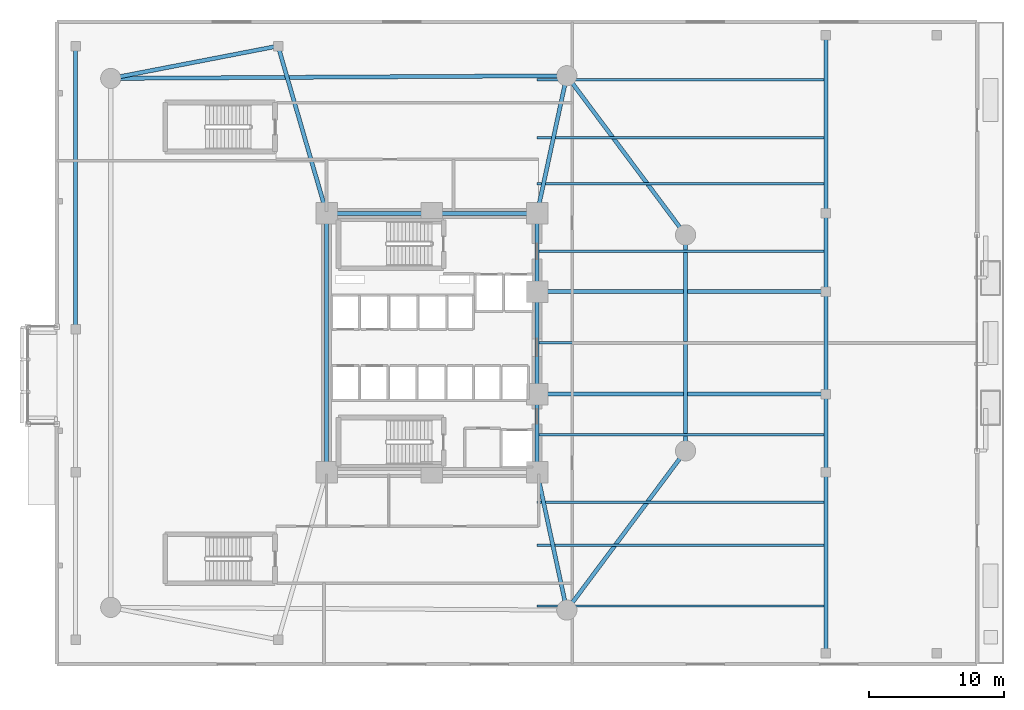
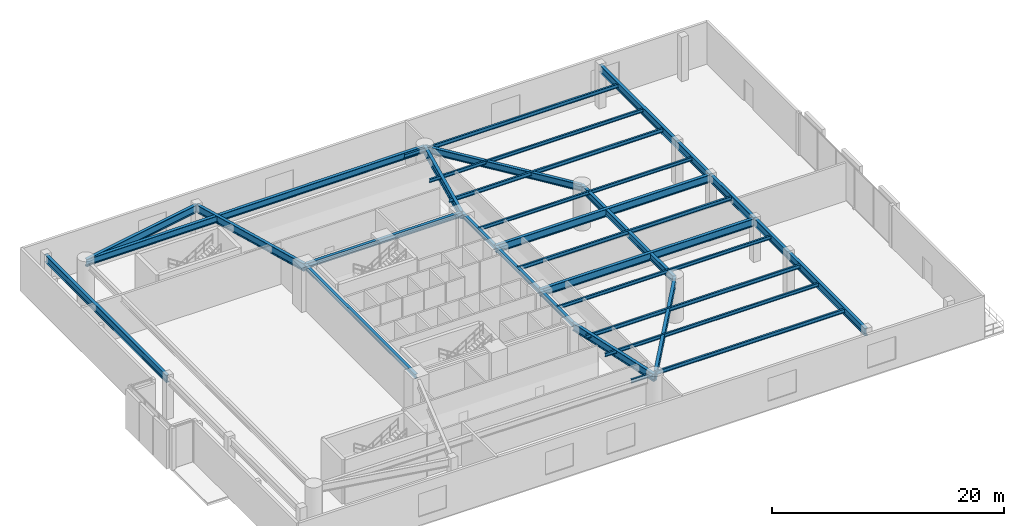
# One storey, part 5 of 16: 28 beams.
"""IFC4 building model written with IfcOpenShell, lengths in metres."""

from ifc_helpers import new_model, si_unit, direction, frame, origin, origin_2d, place, context, subcontext, project, spatial, i_section, extrude, material, material_profile, profile_set, type_object, element, save


model = new_model("IFC4")

# Units and contexts
model_context = context("Model", 3, precision=1e-05, world=origin(), true_north=direction((0.0, 1.0)))
body_context = subcontext(model_context, "Body", "Model", "MODEL_VIEW")
ifc_project = project(units=[si_unit("LENGTHUNIT", "METRE"), si_unit("AREAUNIT", "SQUARE_METRE"), si_unit("VOLUMEUNIT", "CUBIC_METRE"), si_unit("PLANEANGLEUNIT", "RADIAN"), si_unit("MASSUNIT", "GRAM", prefix="KILO")], contexts=[model_context])

# Site, building, storey
site_placement = place(None, origin())
site = spatial("IfcSite", under=ifc_project, at=site_placement, CompositionType="ELEMENT")
building_placement = place(site_placement, origin())
building = spatial("IfcBuilding", under=site, at=building_placement, Name="An Khanh Terracotta Commons", CompositionType="ELEMENT")
storey_placement = place(building_placement, frame((0.0, 0.0, 10.050048828125)))
storey = spatial("IfcBuildingStorey", under=building, at=storey_placement, Name="L03", CompositionType="ELEMENT", Elevation=10.050048828125)

# Beams
ifc_material = material(Name="Steel S355J2", Category="steel")
ifc_material_profile_1 = material_profile(ifc_material, i_section(OverallWidth=0.300048828125, OverallDepth=0.449951171875, WebThickness=0.013916015625, FlangeThickness=0.02587890625, FilletRadius=0.027099609375, at=origin_2d()), Name="HEB450")
ifc_profile_set_1 = profile_set([ifc_material_profile_1], Name="Steel S355J2")
beam_type_1 = type_object("IfcBeamType", Name="BM-HEB450", PredefinedType="BEAM", material=ifc_profile_set_1)
beam_1_placement = place(storey_placement, frame((37.199951171875, 14.39990234375, 4.204833984375), z_axis=(0.0, 1.0, 0.0), x_axis=(-1.0, 0.0, 0.0)))
element("IfcBeam", 1, at=beam_1_placement, inside=storey, type_object=beam_type_1, Name="L03 Core East Coupling Girder 1", PredefinedType="BEAM", context=body_context, shape_type="SweptSolid", body=[
    extrude(i_section(OverallWidth=0.300048828125, OverallDepth=0.449951171875, WebThickness=0.013916015625, FlangeThickness=0.02587890625, FilletRadius=0.027099609375, at=origin_2d()), origin(), (0.0, 0.0, 1.0), 5.800048828125),
])
beam_2_placement = place(storey_placement, frame((37.199951171875, 20.199951171875, 4.204833984375), z_axis=(0.0, 1.0, 0.0), x_axis=(-1.0, 0.0, 0.0)))
element("IfcBeam", 2, at=beam_2_placement, inside=storey, type_object=beam_type_1, Name="L03 Core East Coupling Girder 2", PredefinedType="BEAM", context=body_context, shape_type="SweptSolid", body=[
    extrude(i_section(OverallWidth=0.300048828125, OverallDepth=0.449951171875, WebThickness=0.013916015625, FlangeThickness=0.02587890625, FilletRadius=0.027099609375, at=origin_2d()), origin(), (0.0, 0.0, 1.0), 7.60009765625),
])
beam_3_placement = place(storey_placement, frame((37.199951171875, 27.800048828125, 4.204833984375), z_axis=(0.0, 1.0, 0.0), x_axis=(-1.0, 0.0, 0.0)))
element("IfcBeam", 3, at=beam_3_placement, inside=storey, type_object=beam_type_1, Name="L03 Core East Coupling Girder 3", PredefinedType="BEAM", context=body_context, shape_type="SweptSolid", body=[
    extrude(i_section(OverallWidth=0.300048828125, OverallDepth=0.449951171875, WebThickness=0.013916015625, FlangeThickness=0.02587890625, FilletRadius=0.027099609375, at=origin_2d()), origin(), (0.0, 0.0, 1.0), 5.800048828125),
])
beam_4_placement = place(storey_placement, frame((21.60009765625, 14.39990234375, 4.204833984375), z_axis=(0.0, 1.0, 0.0), x_axis=(-1.0, 0.0, 0.0)))
element("IfcBeam", 4, at=beam_4_placement, inside=storey, type_object=beam_type_1, Name="L03 Core West Coupling Girder", PredefinedType="BEAM", context=body_context, shape_type="SweptSolid", body=[
    extrude(i_section(OverallWidth=0.300048828125, OverallDepth=0.449951171875, WebThickness=0.013916015625, FlangeThickness=0.02587890625, FilletRadius=0.027099609375, at=origin_2d()), origin(), (0.0, 0.0, 1.0), 19.2001953125),
])
ifc_material_profile_2 = material_profile(ifc_material, i_section(OverallWidth=0.300048828125, OverallDepth=0.5, WebThickness=0.014404296875, FlangeThickness=0.028076171875, FilletRadius=0.027099609375, at=origin_2d()), Name="HEB500")
ifc_profile_set_2 = profile_set([ifc_material_profile_2], Name="Steel S355J2")
beam_type_2 = type_object("IfcBeamType", Name="BM-HEB500", PredefinedType="BEAM", material=ifc_profile_set_2)
beam_5_placement = place(storey_placement, frame((21.60009765625, 33.60009765625, 4.179931640625), z_axis=(1.0, 0.0, 0.0), x_axis=(0.0, 1.0, 0.0)))
element("IfcBeam", 5, at=beam_5_placement, inside=storey, type_object=beam_type_2, Name="L03 Core North Coupling Girder", PredefinedType="BEAM", context=body_context, shape_type="SweptSolid", body=[
    extrude(i_section(OverallWidth=0.300048828125, OverallDepth=0.5, WebThickness=0.014404296875, FlangeThickness=0.028076171875, FilletRadius=0.027099609375, at=origin_2d()), origin(), (0.0, 0.0, 1.0), 15.599853515625),
])
ifc_material_profile_3 = material_profile(ifc_material, i_section(OverallWidth=0.300048828125, OverallDepth=0.699951171875, WebThickness=0.01708984375, FlangeThickness=0.031982421875, FilletRadius=0.027099609375, at=origin_2d()), Name="HEB700")
ifc_profile_set_3 = profile_set([ifc_material_profile_3], Name="Steel S355J2")
beam_type_3 = type_object("IfcBeamType", Name="BM-HEB700", PredefinedType="BEAM", material=ifc_profile_set_3)
beam_6_placement = place(storey_placement, frame((39.39990234375, 4.199951171875, 4.079833984375), z_axis=(0.59782442166, 0.801627070942, 0.0), x_axis=(-0.801627070942, 0.59782442166, 0.0)))
element("IfcBeam", 6, at=beam_6_placement, inside=storey, type_object=beam_type_3, Name="L03 Podium Mega-Ring Girder 2", PredefinedType="BEAM", context=body_context, shape_type="SweptSolid", body=[
    extrude(i_section(OverallWidth=0.300048828125, OverallDepth=0.699951171875, WebThickness=0.01708984375, FlangeThickness=0.031982421875, FilletRadius=0.027099609375, at=origin_2d()), origin(), (0.0, 0.0, 1.0), 14.72021484375),
])
beam_7_placement = place(storey_placement, frame((48.199951171875, 16.0, 4.079833984375), z_axis=(0.0, 1.0, 0.0), x_axis=(-1.0, 0.0, 0.0)))
element("IfcBeam", 7, at=beam_7_placement, inside=storey, type_object=beam_type_3, Name="L03 Podium Mega-Ring Girder 3", PredefinedType="BEAM", context=body_context, shape_type="SweptSolid", body=[
    extrude(i_section(OverallWidth=0.300048828125, OverallDepth=0.699951171875, WebThickness=0.01708984375, FlangeThickness=0.031982421875, FilletRadius=0.027099609375, at=origin_2d()), origin(), (0.0, 0.0, 1.0), 16.0),
])
beam_8_placement = place(storey_placement, frame((48.199951171875, 32.0, 4.079833984375), z_axis=(-0.59782442166, 0.801627070942, 0.0), x_axis=(-0.801627070942, -0.59782442166, 0.0)))
element("IfcBeam", 8, at=beam_8_placement, inside=storey, type_object=beam_type_3, Name="L03 Podium Mega-Ring Girder 4", PredefinedType="BEAM", context=body_context, shape_type="SweptSolid", body=[
    extrude(i_section(OverallWidth=0.300048828125, OverallDepth=0.699951171875, WebThickness=0.01708984375, FlangeThickness=0.031982421875, FilletRadius=0.027099609375, at=origin_2d()), origin(), (0.0, 0.0, 1.0), 14.72021484375),
])
beam_9_placement = place(storey_placement, frame((39.39990234375, 43.800048828125, 4.079833984375), z_axis=(-0.999982502414, -0.005915645817, 0.0), x_axis=(0.005915645817, -0.999982502414, 0.0)))
element("IfcBeam", 9, at=beam_9_placement, inside=storey, type_object=beam_type_3, Name="L03 Podium Mega-Ring Girder 5", PredefinedType="BEAM", context=body_context, shape_type="SweptSolid", body=[
    extrude(i_section(OverallWidth=0.300048828125, OverallDepth=0.699951171875, WebThickness=0.01708984375, FlangeThickness=0.031982421875, FilletRadius=0.027099609375, at=origin_2d()), origin(), (0.0, 0.0, 1.0), 33.80029296875),
])
ifc_material_profile_4 = material_profile(ifc_material, i_section(OverallWidth=0.300048828125, OverallDepth=0.800048828125, WebThickness=0.017578125, FlangeThickness=0.032958984375, FilletRadius=0.030029296875, at=origin_2d()), Name="HEB800")
ifc_profile_set_4 = profile_set([ifc_material_profile_4], Name="Steel S355J2")
beam_type_4 = type_object("IfcBeamType", Name="BM-HEB800", PredefinedType="BEAM", material=ifc_profile_set_4)
beam_10_placement = place(storey_placement, frame((3.0, 25.0, 4.030029296875), z_axis=(0.0, 1.0, 0.0), x_axis=(-1.0, 0.0, 0.0)))
element("IfcBeam", 10, at=beam_10_placement, inside=storey, type_object=beam_type_4, Name="L03 Primary Podium Girder 3", PredefinedType="BEAM", context=body_context, shape_type="SweptSolid", body=[
    extrude(i_section(OverallWidth=0.300048828125, OverallDepth=0.800048828125, WebThickness=0.017578125, FlangeThickness=0.032958984375, FilletRadius=0.030029296875, at=origin_2d()), origin(), (0.0, 0.0, 1.0), 21.0),
])
for number, where, z_axis, x_axis, name in (
    (11, (39.39990234375, 4.199951171875, 4.030029296875), (-0.210834365214, 0.977521800496, 0.0), (-0.977521800496, -0.210834365214, 0.0), "L03 Primary Podium Girder 6"),
    (12, (39.39990234375, 43.800048828125, 4.030029296875), (-0.210834365214, -0.977521800496, 0.0), (0.977521800496, -0.210834365214, 0.0), "L03 Primary Podium Girder 7"),
):
    element("IfcBeam", number, at=place(storey_placement, frame(where, z_axis=z_axis, x_axis=x_axis)), inside=storey, type_object=beam_type_4, Name=name, PredefinedType="BEAM", context=body_context, shape_type="SweptSolid", body=[
        extrude(i_section(OverallWidth=0.300048828125, OverallDepth=0.800048828125, WebThickness=0.017578125, FlangeThickness=0.032958984375, FilletRadius=0.030029296875, at=origin_2d()), origin(), (0.0, 0.0, 1.0), 10.4345703125),
    ])
beam_11_placement = place(storey_placement, frame((5.60009765625, 43.60009765625, 4.030029296875), z_axis=(0.981781013874, 0.190015896168, 0.0), x_axis=(-0.190015896168, 0.981781013874, 0.0)))
element("IfcBeam", 13, at=beam_11_placement, inside=storey, type_object=beam_type_4, Name="L03 Primary Podium Girder 8", PredefinedType="BEAM", context=body_context, shape_type="SweptSolid", body=[
    extrude(i_section(OverallWidth=0.300048828125, OverallDepth=0.800048828125, WebThickness=0.017578125, FlangeThickness=0.032958984375, FilletRadius=0.030029296875, at=origin_2d()), origin(), (0.0, 0.0, 1.0), 12.630126953125),
])
beam_12_placement = place(storey_placement, frame((18.0, 46.0, 4.030029296875), z_axis=(0.278819195264, -0.960343613689, 0.0), x_axis=(0.960343613689, 0.278819195264, 0.0)))
element("IfcBeam", 14, at=beam_12_placement, inside=storey, type_object=beam_type_4, Name="L03 Primary Podium Girder 9", PredefinedType="BEAM", context=body_context, shape_type="SweptSolid", body=[
    extrude(i_section(OverallWidth=0.300048828125, OverallDepth=0.800048828125, WebThickness=0.017578125, FlangeThickness=0.032958984375, FilletRadius=0.030029296875, at=origin_2d()), origin(), (0.0, 0.0, 1.0), 12.911865234375),
])
beam_13_placement = place(storey_placement, frame((58.60009765625, 20.199951171875, 4.030029296875), z_axis=(0.0, 1.0, 0.0), x_axis=(-1.0, 0.0, 0.0)))
element("IfcBeam", 15, at=beam_13_placement, inside=storey, type_object=beam_type_4, Name="L03 Primary Podium Girder 10", PredefinedType="BEAM", context=body_context, shape_type="SweptSolid", body=[
    extrude(i_section(OverallWidth=0.300048828125, OverallDepth=0.800048828125, WebThickness=0.017578125, FlangeThickness=0.032958984375, FilletRadius=0.030029296875, at=origin_2d()), origin(), (0.0, 0.0, 1.0), 7.60009765625),
])
beam_14_placement = place(storey_placement, frame((58.60009765625, 1.0, 4.030029296875), z_axis=(0.0, 1.0, 0.0), x_axis=(-1.0, 0.0, 0.0)))
element("IfcBeam", 16, at=beam_14_placement, inside=storey, type_object=beam_type_4, Name="L03 Primary Podium Girder 11", PredefinedType="BEAM", context=body_context, shape_type="SweptSolid", body=[
    extrude(i_section(OverallWidth=0.300048828125, OverallDepth=0.800048828125, WebThickness=0.017578125, FlangeThickness=0.032958984375, FilletRadius=0.030029296875, at=origin_2d()), origin(), (0.0, 0.0, 1.0), 19.199951171875),
])
beam_15_placement = place(storey_placement, frame((58.60009765625, 27.800048828125, 4.030029296875), z_axis=(0.0, 1.0, 0.0), x_axis=(-1.0, 0.0, 0.0)))
element("IfcBeam", 17, at=beam_15_placement, inside=storey, type_object=beam_type_4, Name="L03 Primary Podium Girder 12", PredefinedType="BEAM", context=body_context, shape_type="SweptSolid", body=[
    extrude(i_section(OverallWidth=0.300048828125, OverallDepth=0.800048828125, WebThickness=0.017578125, FlangeThickness=0.032958984375, FilletRadius=0.030029296875, at=origin_2d()), origin(), (0.0, 0.0, 1.0), 19.0),
])
for number, where, z_axis, x_axis, name in (
    (18, (37.199951171875, 20.199951171875, 4.030029296875), (1.0, 0.0, 0.0), (0.0, 1.0, 0.0), "L03 Primary Podium Girder 16"),
    (19, (37.199951171875, 27.800048828125, 4.030029296875), (1.0, 0.0, 0.0), (0.0, 1.0, 0.0), "L03 Primary Podium Girder 17"),
):
    element("IfcBeam", number, at=place(storey_placement, frame(where, z_axis=z_axis, x_axis=x_axis)), inside=storey, type_object=beam_type_4, Name=name, PredefinedType="BEAM", context=body_context, shape_type="SweptSolid", body=[
        extrude(i_section(OverallWidth=0.300048828125, OverallDepth=0.800048828125, WebThickness=0.017578125, FlangeThickness=0.032958984375, FilletRadius=0.030029296875, at=origin_2d()), origin(), (0.0, 0.0, 1.0), 21.400146484375),
    ])
ifc_material_profile_5 = material_profile(ifc_material, i_section(OverallWidth=0.169921875, OverallDepth=0.360107421875, WebThickness=0.008056640625, FlangeThickness=0.0126953125, FilletRadius=0.01806640625, at=origin_2d()), Name="IPE360")
ifc_profile_set_5 = profile_set([ifc_material_profile_5], Name="Steel S355J2")
beam_type_5 = type_object("IfcBeamType", Name="BM-IPE360", PredefinedType="JOIST", material=ifc_profile_set_5)
for number, where, z_axis, x_axis, name in (
    (20, (37.199951171875, 9.0, 4.25), (1.0, 0.0, 0.0), (0.0, 1.0, 0.0), "L03 East Composite Floor Joist 2"),
    (21, (37.199951171875, 17.199951171875, 4.25), (1.0, 0.0, 0.0), (0.0, 1.0, 0.0), "L03 East Composite Floor Joist 4"),
    (22, (37.199951171875, 30.800048828125, 4.25), (1.0, 0.0, 0.0), (0.0, 1.0, 0.0), "L03 East Composite Floor Joist 6"),
    (23, (37.199951171875, 39.199951171875, 4.25), (1.0, 0.0, 0.0), (0.0, 1.0, 0.0), "L03 East Composite Floor Joist 8"),
):
    element("IfcBeam", number, at=place(storey_placement, frame(where, z_axis=z_axis, x_axis=x_axis)), inside=storey, type_object=beam_type_5, Name=name, PredefinedType="JOIST", context=body_context, shape_type="SweptSolid", body=[
        extrude(i_section(OverallWidth=0.169921875, OverallDepth=0.360107421875, WebThickness=0.008056640625, FlangeThickness=0.0126953125, FilletRadius=0.01806640625, at=origin_2d()), origin(), (0.0, 0.0, 1.0), 21.25),
    ])
ifc_material_profile_6 = material_profile(ifc_material, i_section(OverallWidth=0.179931640625, OverallDepth=0.39990234375, WebThickness=0.008544921875, FlangeThickness=0.013427734375, FilletRadius=0.02099609375, at=origin_2d()), Name="IPE400")
ifc_profile_set_6 = profile_set([ifc_material_profile_6], Name="Steel S355J2")
beam_type_6 = type_object("IfcBeamType", Name="BM-IPE400", PredefinedType="JOIST", material=ifc_profile_set_6)
for number, where, z_axis, x_axis, name in (
    (24, (37.199951171875, 4.5, 4.22998046875), (1.0, 0.0, 0.0), (0.0, 1.0, 0.0), "L03 East Composite Floor Joist 1"),
    (25, (37.199951171875, 12.199951171875, 4.22998046875), (1.0, 0.0, 0.0), (0.0, 1.0, 0.0), "L03 East Composite Floor Joist 3"),
    (26, (37.199951171875, 24.0, 4.22998046875), (1.0, 0.0, 0.0), (0.0, 1.0, 0.0), "L03 East Composite Floor Joist 5"),
    (27, (37.199951171875, 35.800048828125, 4.22998046875), (1.0, 0.0, 0.0), (0.0, 1.0, 0.0), "L03 East Composite Floor Joist 7"),
    (28, (37.199951171875, 43.5, 4.22998046875), (1.0, 0.0, 0.0), (0.0, 1.0, 0.0), "L03 East Composite Floor Joist 9"),
):
    element("IfcBeam", number, at=place(storey_placement, frame(where, z_axis=z_axis, x_axis=x_axis)), inside=storey, type_object=beam_type_6, Name=name, PredefinedType="JOIST", context=body_context, shape_type="SweptSolid", body=[
        extrude(i_section(OverallWidth=0.179931640625, OverallDepth=0.39990234375, WebThickness=0.008544921875, FlangeThickness=0.013427734375, FilletRadius=0.02099609375, at=origin_2d()), origin(), (0.0, 0.0, 1.0), 21.25),
    ])

save(model, "model.ifc")
